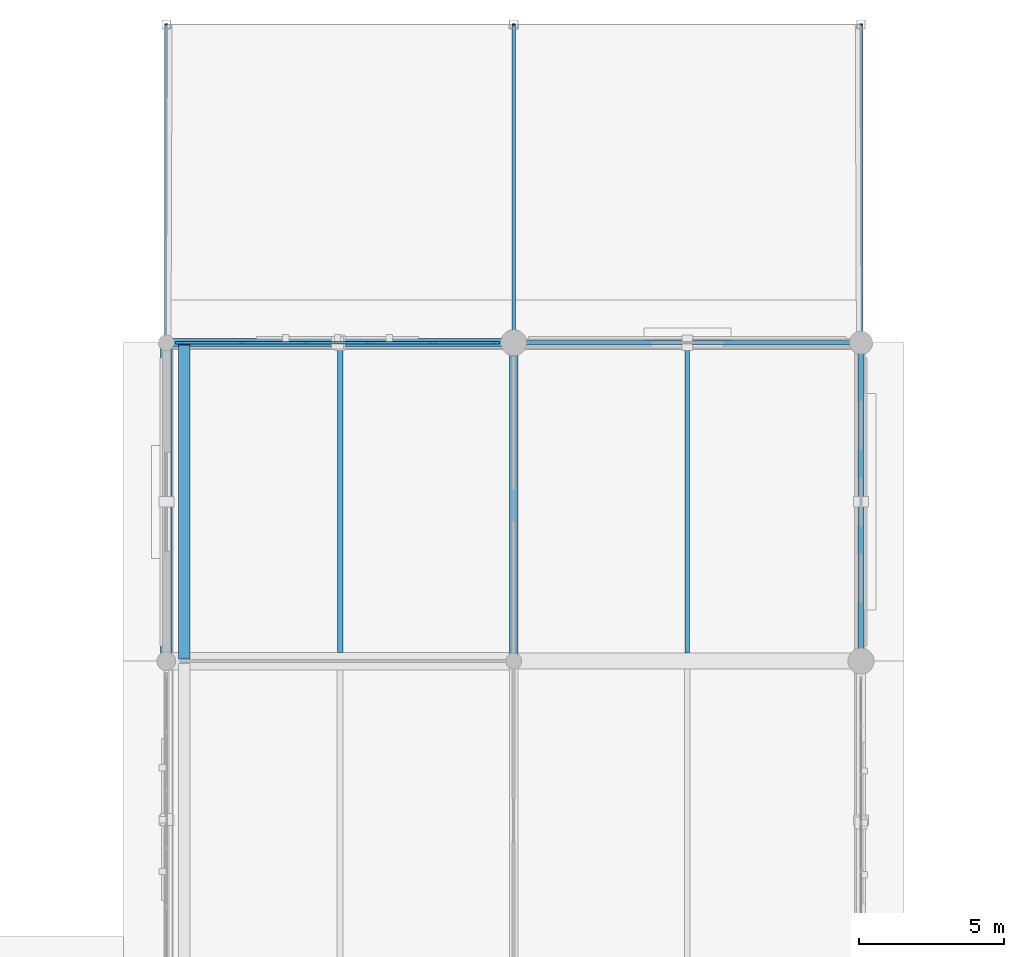
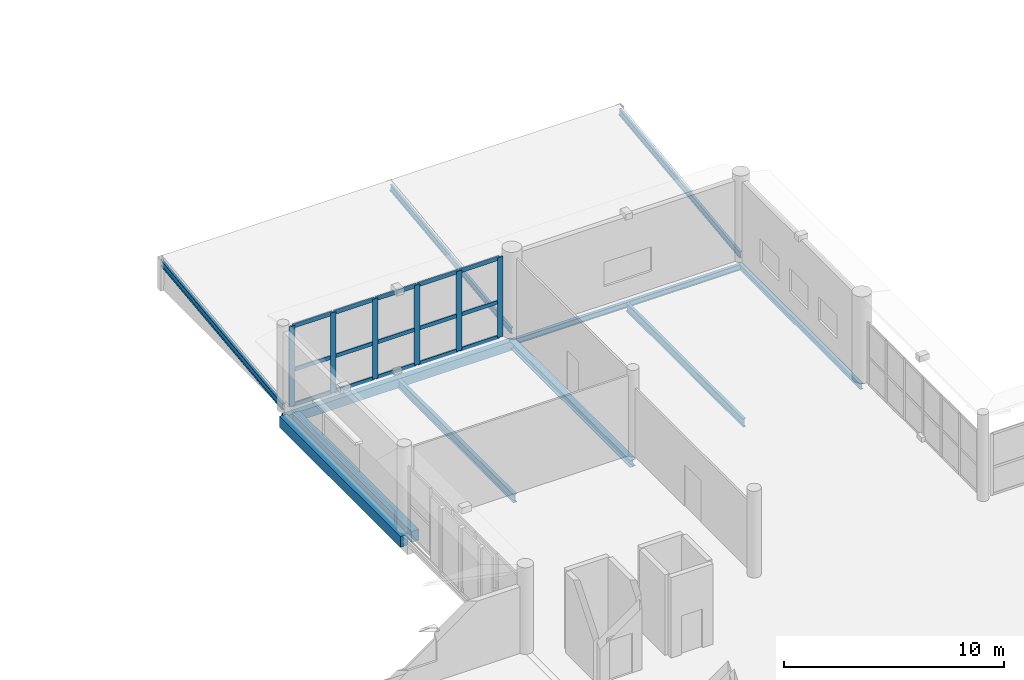
# One storey, part 45 of 143: 21 members, 11 beams, 1 element without a shape of its own.
"""IFC4 building model written with IfcOpenShell, lengths in metres."""

import ifcopenshell
import ifcopenshell.guid

model = None  # the IFC model being written
_history = None  # IfcOwnerHistory: only IFC2X3 demands one
_inside = {}  # id of a spatial element -> (the spatial element, [elements in it])
_under = {}  # id of a project, library or spatial element -> (it, [spatial elements below it])
_declared = {}  # id of a project -> (the project, [libraries it declares])
_typed = {}  # id of a type object -> (the type object, [elements of that type])
_made_of = {}  # id of a material, layer set ... -> (it, [elements and type objects made of it])


def new_model(schema):
    """Start an empty IFC model of exactly this schema.

    Asked for "IFC4X3", IfcOpenShell would pick the latest addendum, in which some entities
    have other attributes; the version numbers below select the first issue.
    IFC2X3 requires an IfcOwnerHistory on every rooted entity: one is made here for all.
    """
    global model, _history
    if schema == "IFC4X3":
        model = ifcopenshell.file(schema_version=(4, 3, 0, 0))
    else:
        model = ifcopenshell.file(schema=schema)
    _inside.clear()
    _under.clear()
    _declared.clear()
    _typed.clear()
    _made_of.clear()
    _history = None
    if model.schema == "IFC2X3":
        org = make("IfcOrganization", Name="unknown")
        user = make(
            "IfcPersonAndOrganization",
            ThePerson=make("IfcPerson", FamilyName="unknown"),
            TheOrganization=org,
        )
        app = make(
            "IfcApplication",
            ApplicationDeveloper=org,
            Version="unknown",
            ApplicationFullName="unknown",
            ApplicationIdentifier="unknown",
        )
        _history = make(
            "IfcOwnerHistory",
            OwningUser=user,
            OwningApplication=app,
            ChangeAction="ADDED",
            CreationDate=0,
        )
    return model


def make(cls, **values):
    """One entity of the class cls with the attributes given. An attribute that is None is left unset."""
    return model.create_entity(
        cls, **{name: value for name, value in values.items() if value is not None}
    )


def rooted(cls, **values):
    """An entity with a GlobalId (a new one), such as an element, a storey or a relation."""
    return make(cls, GlobalId=ifcopenshell.guid.new(), OwnerHistory=_history, **values)


def si_unit(unit_type, name, prefix=None):
    """IfcSIUnit, for example si_unit("LENGTHUNIT", "METRE", prefix="MILLI")."""
    return make("IfcSIUnit", UnitType=unit_type, Prefix=prefix, Name=name)


def assignment(units):
    """IfcUnitAssignment: the units of a project."""
    return None if units is None else make("IfcUnitAssignment", Units=units)


def point(xyz):
    """IfcCartesianPoint."""
    return None if xyz is None else make("IfcCartesianPoint", Coordinates=xyz)


def direction(xyz):
    """IfcDirection."""
    return None if xyz is None else make("IfcDirection", DirectionRatios=xyz)


def frame(location, z_axis=None, x_axis=None):
    """IfcAxis2Placement3D, a coordinate frame: its origin and axes. An axis left out is left unset."""
    return make(
        "IfcAxis2Placement3D",
        Location=point(location),
        Axis=direction(z_axis),
        RefDirection=direction(x_axis),
    )


def frame_2d(location, x_axis=None):
    """IfcAxis2Placement2D, a coordinate frame in the plane: its origin and x axis."""
    return make(
        "IfcAxis2Placement2D", Location=point(location), RefDirection=direction(x_axis)
    )


def origin():
    """The frame at (0, 0, 0) with its axes left unset."""
    return frame((0.0, 0.0, 0.0))


def origin_2d():
    """The frame at (0, 0) in the plane with its x axis left unset."""
    return frame_2d((0.0, 0.0))


def place(relative_to, where):
    """IfcLocalPlacement: puts the frame where relative to a parent placement (None: the world)."""
    return make(
        "IfcLocalPlacement", PlacementRelTo=relative_to, RelativePlacement=where
    )


def context(
    kind, dimensions, precision=None, world=None, true_north=None, identifier=None
):
    """IfcGeometricRepresentationContext, for example the 3D "Model" context."""
    return make(
        "IfcGeometricRepresentationContext",
        ContextIdentifier=identifier,
        ContextType=kind,
        CoordinateSpaceDimension=dimensions,
        Precision=precision,
        WorldCoordinateSystem=world,
        TrueNorth=true_north,
    )


def subcontext(parent, identifier, kind, view, scale=None):
    """IfcGeometricRepresentationSubContext, for example "Body" below "Model"."""
    return make(
        "IfcGeometricRepresentationSubContext",
        ContextIdentifier=identifier,
        ContextType=kind,
        ParentContext=parent,
        TargetScale=scale,
        TargetView=view,
    )


def project(units=None, contexts=None):
    """IfcProject with its units and contexts."""
    return rooted(
        "IfcProject",
        Name="project",
        RepresentationContexts=contexts,
        UnitsInContext=assignment(units),
    )


def spatial(cls, under=None, at=None, **own):
    """A site, building, storey or space (cls), placed at a placement, below another one or the project."""
    s = rooted(cls, ObjectPlacement=at, **own)
    if under is not None:
        _under.setdefault(under.id(), (under, []))[1].append(s)
    return s


def profile(cls, at=None, kind="AREA", **sizes):
    """A parametric profile (cls). Its sizes go by their IFC names, for example OverallWidth=200.0."""
    return make(cls, ProfileType=kind, Position=at, **sizes)


def rectangle(**sizes):
    """IfcRectangleProfileDef."""
    return profile("IfcRectangleProfileDef", **sizes)


def hollow_rectangle(**sizes):
    """IfcRectangleHollowProfileDef."""
    return profile("IfcRectangleHollowProfileDef", **sizes)


def i_section(**sizes):
    """IfcIShapeProfileDef."""
    return profile("IfcIShapeProfileDef", **sizes)


def extrude(swept, where, along, depth):
    """IfcExtrudedAreaSolid: the profile swept, set in the frame where, extruded along a direction by depth."""
    return make(
        "IfcExtrudedAreaSolid",
        SweptArea=swept,
        Position=where,
        ExtrudedDirection=direction(along),
        Depth=depth,
    )


def shape(context_of_items, identifier, shape_type, items):
    """IfcShapeRepresentation: the items that make up one representation, for example the "Body"."""
    return make(
        "IfcShapeRepresentation",
        ContextOfItems=context_of_items,
        RepresentationIdentifier=identifier,
        RepresentationType=shape_type,
        Items=items,
    )


def material(Name=None, Category=None):
    """IfcMaterial."""
    return make("IfcMaterial", Name=Name, Category=Category)


def material_profile(
    of_material, cross_section, Name=None, Category=None, Priority=None
):
    """IfcMaterialProfile: a cross section and its material."""
    return make(
        "IfcMaterialProfile",
        Name=Name,
        Material=of_material,
        Profile=cross_section,
        Priority=Priority,
        Category=Category,
    )


def profile_set(profiles, Name=None, composite=None):
    """IfcMaterialProfileSet."""
    return make(
        "IfcMaterialProfileSet",
        Name=Name,
        MaterialProfiles=profiles,
        CompositeProfile=composite,
    )


def made_of(thing, what):
    """Note that an element or type object is made of a material, layer set ...; save() writes the relation."""
    if what is not None:
        _made_of.setdefault(what.id(), (what, []))[1].append(thing)
    return thing


def type_object(cls, material=None, **own):
    """A type object (cls), such as IfcWallType, which elements share."""
    return made_of(rooted(cls, **own), material)


def element(
    cls,
    number,
    at=None,
    inside=None,
    cuts=None,
    type_object=None,
    material=None,
    context=None,
    identifier="Body",
    shape_type=None,
    held_by="IfcProductDefinitionShape",
    body=None,
    shapes=None,
    **own,
):
    """One element of the class cls, such as IfcWall. Its Tag is "e" and its number.

    at: its placement. inside: the storey or other place that contains it. cuts: it is an
    opening in that element (IfcRelVoidsElement). A single representation is given by context,
    identifier, shape_type and body (its items); several are given by shapes. held_by: the class
    of the entity that holds the representations. save() writes the other relations.
    """
    e = rooted(cls, Tag="e%d" % number, ObjectPlacement=at, **own)
    if body is not None:
        shapes = [shape(context, identifier, shape_type, body)]
    if shapes is not None:
        e.Representation = make(held_by, Representations=shapes)
    if inside is not None:
        _inside.setdefault(inside.id(), (inside, []))[1].append(e)
    if cuts is not None:
        rooted(
            "IfcRelVoidsElement", RelatingBuildingElement=cuts, RelatedOpeningElement=e
        )
    if type_object is not None:
        _typed.setdefault(type_object.id(), (type_object, []))[1].append(e)
    return made_of(e, material)


def aggregate(whole, parts):
    """IfcRelAggregates: a whole, such as a stair, and the parts it consists of."""
    return rooted("IfcRelAggregates", RelatingObject=whole, RelatedObjects=parts)


def save(model, path):
    """Write the relations noted so far, then the file.

    IfcRelAggregates (storeys below a building ...), IfcRelContainedInSpatialStructure (elements
    in a storey), IfcRelDefinesByType, IfcRelAssociatesMaterial and IfcRelDeclares: one each for
    every whole, place, type object, material and project.
    """
    for whole, parts in _under.values():
        aggregate(whole, parts)
    for where, things in _inside.values():
        rooted(
            "IfcRelContainedInSpatialStructure",
            RelatedElements=things,
            RelatingStructure=where,
        )
    for kind, things in _typed.values():
        rooted("IfcRelDefinesByType", RelatedObjects=things, RelatingType=kind)
    for what, things in _made_of.values():
        rooted("IfcRelAssociatesMaterial", RelatedObjects=things, RelatingMaterial=what)
    for by, libraries in _declared.values():
        rooted("IfcRelDeclares", RelatingContext=by, RelatedDefinitions=libraries)
    model.write(path)


model = new_model("IFC4")

# Units and contexts
model_context = context("Model", 3, precision=1e-05, world=origin(), true_north=direction((0.0, 1.0)))
body_context = subcontext(model_context, "Body", "Model", "MODEL_VIEW")
ifc_project = project(units=[si_unit("LENGTHUNIT", "METRE"), si_unit("AREAUNIT", "SQUARE_METRE"), si_unit("VOLUMEUNIT", "CUBIC_METRE"), si_unit("PLANEANGLEUNIT", "RADIAN"), si_unit("MASSUNIT", "GRAM", prefix="KILO")], contexts=[model_context])

# Site, building, storey
site_placement = place(None, origin())
site = spatial("IfcSite", under=ifc_project, at=site_placement, CompositionType="ELEMENT")
building_placement = place(site_placement, origin())
building = spatial("IfcBuilding", under=site, at=building_placement, Name="Luwafu Chhajja Arena", CompositionType="ELEMENT")
storey_placement = place(building_placement, frame((0.0, 0.0, 5.39990234375)))
storey = spatial("IfcBuildingStorey", under=building, at=storey_placement, Name="L01", CompositionType="ELEMENT", Elevation=5.39990234375)

# Beams
ifc_material_1 = material(Name="Steel S355", Category="steel")
ifc_material_profile_1 = material_profile(ifc_material_1, i_section(OverallWidth=0.1259765625, OverallDepth=0.353515625, WebThickness=0.006591796875, FlangeThickness=0.0107421875, at=origin_2d()), Name="UB 356x127x39")
ifc_profile_set_1 = profile_set([ifc_material_profile_1], Name="Steel S355")
beam_type_1 = type_object("IfcBeamType", Name="Canopy Joist UB 356x127x39", PredefinedType="JOIST", material=ifc_profile_set_1)
for number, where, z_axis, x_axis, name in (
    (1, (34.0, 121.0, 0.14013671875), (0.0, 0.993088327257, 0.11736939237), (-1.0, 0.0, 0.0), "L01 Cloister Roof Rafter 4/M-N"),
    (2, (46.0, 121.0, 0.14013671875), (0.0, 0.993088327257, 0.11736939237), (-1.0, 0.0, 0.0), "L01 Cloister Roof Rafter 5/M-N"),
    (3, (58.0, 121.0, 0.14013671875), (0.0, 0.993088327257, 0.11736939237), (-1.0, 0.0, 0.0), "L01 Cloister Roof Rafter 6/M-N"),
):
    element("IfcBeam", number, at=place(storey_placement, frame(where, z_axis=z_axis, x_axis=x_axis)), inside=storey, type_object=beam_type_1, Name=name, PredefinedType="JOIST", context=body_context, shape_type="SweptSolid", body=[
        extrude(i_section(OverallWidth=0.1259765625, OverallDepth=0.353515625, WebThickness=0.006591796875, FlangeThickness=0.0107421875, at=origin_2d()), origin(), (0.0, 0.0, 1.0), 11.07666015625),
    ])
ifc_material_profile_2 = material_profile(ifc_material_1, i_section(OverallWidth=0.165771484375, OverallDepth=0.306640625, WebThickness=0.006591796875, FlangeThickness=0.01171875, at=origin_2d()), Name="UB 305x165x46")
ifc_profile_set_2 = profile_set([ifc_material_profile_2], Name="Steel S355")
beam_type_2 = type_object("IfcBeamType", Name="Concourse Edge Spandrel Beam UB 305x165x46", PredefinedType="SPANDREL", material=ifc_profile_set_2)
beam_1_placement = place(storey_placement, frame((46.0, 121.0, -0.483154296875), z_axis=(1.0, 0.0, 0.0), x_axis=(0.0, 1.0, 0.0)))
element("IfcBeam", 4, at=beam_1_placement, inside=storey, type_object=beam_type_2, Name="L01 Grid Beam 5-6/M", PredefinedType="SPANDREL", context=body_context, shape_type="SweptSolid", body=[
    extrude(i_section(OverallWidth=0.165771484375, OverallDepth=0.306640625, WebThickness=0.006591796875, FlangeThickness=0.01171875, at=origin_2d()), origin(), (0.0, 0.0, 1.0), 12.0),
])
beam_2_placement = place(storey_placement, frame((58.0, 110.0, -0.483154296875), z_axis=(0.0, 1.0, 0.0), x_axis=(-1.0, 0.0, 0.0)))
element("IfcBeam", 5, at=beam_2_placement, inside=storey, type_object=beam_type_2, Name="L01 Grid Beam 6/L-M", PredefinedType="SPANDREL", context=body_context, shape_type="SweptSolid", body=[
    extrude(i_section(OverallWidth=0.165771484375, OverallDepth=0.306640625, WebThickness=0.006591796875, FlangeThickness=0.01171875, at=origin_2d()), origin(), (0.0, 0.0, 1.0), 11.0),
])
ifc_material_profile_3 = material_profile(ifc_material_1, i_section(OverallWidth=0.15283203125, OverallDepth=0.45458984375, WebThickness=0.008056640625, FlangeThickness=0.01318359375, at=origin_2d()), Name="UB 457x152x60")
ifc_profile_set_3 = profile_set([ifc_material_profile_3], Name="Steel S355")
beam_type_3 = type_object("IfcBeamType", Name="Floor Joist UB 457x152x60", PredefinedType="JOIST", material=ifc_profile_set_3)
beam_3_placement = place(storey_placement, frame((52.0, 110.27490234375, -0.55712890625), z_axis=(0.0, 1.0, 0.0), x_axis=(-1.0, 0.0, 0.0)))
element("IfcBeam", 6, at=beam_3_placement, inside=storey, type_object=beam_type_3, Name="L01 Secondary Joist 5-6/L", PredefinedType="JOIST", context=body_context, shape_type="SweptSolid", body=[
    extrude(i_section(OverallWidth=0.15283203125, OverallDepth=0.45458984375, WebThickness=0.008056640625, FlangeThickness=0.01318359375, at=origin_2d()), origin(), (0.0, 0.0, 1.0), 10.642333984375),
])
ifc_material_profile_4 = material_profile(ifc_material_1, i_section(OverallWidth=0.19140625, OverallDepth=0.4599609375, WebThickness=0.010009765625, FlangeThickness=0.01611328125, at=origin_2d()), Name="UB 457x191x82")
ifc_profile_set_4 = profile_set([ifc_material_profile_4], Name="Steel S355")
beam_type_4 = type_object("IfcBeamType", Name="Floor Joist UB 457x191x82", PredefinedType="JOIST", material=ifc_profile_set_4)
beam_4_placement = place(storey_placement, frame((40.0, 110.300048828125, -0.559814453125), z_axis=(0.0, 1.0, 0.0), x_axis=(-1.0, 0.0, 0.0)))
element("IfcBeam", 7, at=beam_4_placement, inside=storey, type_object=beam_type_4, Name="L01 Secondary Joist 4-5/L", PredefinedType="JOIST", context=body_context, shape_type="SweptSolid", body=[
    extrude(i_section(OverallWidth=0.19140625, OverallDepth=0.4599609375, WebThickness=0.010009765625, FlangeThickness=0.01611328125, at=origin_2d()), origin(), (0.0, 0.0, 1.0), 10.550048828125),
])

# Curtain wall, members
ifc_material_2 = material(Name="Anodised bronze aluminium", Category="aluminium")
curtain_wall_type = type_object("IfcCurtainWallType", Name="Pishtaq Monumental Portal Curtain Wall", PredefinedType="USERDEFINED", material=ifc_material_2)
curtain_wall_placement = place(storey_placement, origin())
curtain_wall = element("IfcCurtainWall", 8, at=curtain_wall_placement, inside=storey, type_object=curtain_wall_type, Name="L01 Curtain Wall CWG-L01-H03_11", ObjectType="CURTAIN WALL", PredefinedType="USERDEFINED")
ifc_material_profile_5 = material_profile(ifc_material_2, rectangle(XDim=0.080078125, YDim=0.280029296875, at=origin_2d()), Name="CWM 80x280")
ifc_profile_set_5 = profile_set([ifc_material_profile_5], Name="Anodised bronze aluminium")
member_type_1 = type_object("IfcMemberType", Name="Pishtaq Portal Mullion 80x280", PredefinedType="MULLION", material=ifc_profile_set_5)
member_1_placement = place(storey_placement, frame((34.455078125, 121.0, 0.030029296875), z_axis=(0.0, 0.0, 1.0), x_axis=(0.0, 1.0, 0.0)))
member_1 = element("IfcMember", 9, at=member_1_placement, type_object=member_type_1, Name="CW-04 mullion 1", PredefinedType="MULLION", context=body_context, shape_type="SweptSolid", body=[
    extrude(rectangle(XDim=0.080078125, YDim=0.280029296875, at=origin_2d()), origin(), (0.0, 0.0, 1.0), 4.43505859375),
])
member_2_placement = place(storey_placement, frame((36.614013671875, 121.0, 0.030029296875), z_axis=(0.0, 0.0, 1.0), x_axis=(0.0, 1.0, 0.0)))
member_2 = element("IfcMember", 10, at=member_2_placement, type_object=member_type_1, Name="CW-04 mullion 2", PredefinedType="MULLION", context=body_context, shape_type="SweptSolid", body=[
    extrude(rectangle(XDim=0.080078125, YDim=0.280029296875, at=origin_2d()), origin(), (0.0, 0.0, 1.0), 4.43505859375),
])
member_3_placement = place(storey_placement, frame((38.81298828125, 121.0, 0.030029296875), z_axis=(0.0, 0.0, 1.0), x_axis=(0.0, 1.0, 0.0)))
member_3 = element("IfcMember", 11, at=member_3_placement, type_object=member_type_1, Name="CW-04 mullion 3", PredefinedType="MULLION", context=body_context, shape_type="SweptSolid", body=[
    extrude(rectangle(XDim=0.080078125, YDim=0.280029296875, at=origin_2d()), origin(), (0.0, 0.0, 1.0), 4.43505859375),
])
member_4_placement = place(storey_placement, frame((41.011962890625, 121.0, 0.030029296875), z_axis=(0.0, 0.0, 1.0), x_axis=(0.0, 1.0, 0.0)))
member_4 = element("IfcMember", 12, at=member_4_placement, type_object=member_type_1, Name="CW-04 mullion 4", PredefinedType="MULLION", context=body_context, shape_type="SweptSolid", body=[
    extrude(rectangle(XDim=0.080078125, YDim=0.280029296875, at=origin_2d()), origin(), (0.0, 0.0, 1.0), 4.43505859375),
])
member_5_placement = place(storey_placement, frame((43.2109375, 121.0, 0.030029296875), z_axis=(0.0, 0.0, 1.0), x_axis=(0.0, 1.0, 0.0)))
member_5 = element("IfcMember", 13, at=member_5_placement, type_object=member_type_1, Name="CW-04 mullion 5", PredefinedType="MULLION", context=body_context, shape_type="SweptSolid", body=[
    extrude(rectangle(XDim=0.080078125, YDim=0.280029296875, at=origin_2d()), origin(), (0.0, 0.0, 1.0), 4.43505859375),
])
member_6_placement = place(storey_placement, frame((45.3701171875, 121.0, 0.030029296875), z_axis=(0.0, 0.0, 1.0), x_axis=(0.0, 1.0, 0.0)))
member_6 = element("IfcMember", 14, at=member_6_placement, type_object=member_type_1, Name="CW-04 mullion 6", PredefinedType="MULLION", context=body_context, shape_type="SweptSolid", body=[
    extrude(rectangle(XDim=0.080078125, YDim=0.280029296875, at=origin_2d()), origin(), (0.0, 0.0, 1.0), 4.43505859375),
])
ifc_material_profile_6 = material_profile(ifc_material_2, rectangle(XDim=0.080078125, YDim=0.2099609375, at=origin_2d()), Name="CWT 80x210")
ifc_profile_set_6 = profile_set([ifc_material_profile_6], Name="Anodised bronze aluminium")
member_type_2 = type_object("IfcMemberType", Name="Pishtaq Portal Transom 80x210", PredefinedType="USERDEFINED", material=ifc_profile_set_6)
member_7_placement = place(storey_placement, frame((34.4951171875, 121.0, 0.070068359375), z_axis=(1.0, 0.0, 0.0), x_axis=(0.0, 1.0, 0.0)))
member_7 = element("IfcMember", 15, at=member_7_placement, type_object=member_type_2, Name="CW-04 transom 1.1", ObjectType="TRANSOM", PredefinedType="USERDEFINED", context=body_context, shape_type="SweptSolid", body=[
    extrude(rectangle(XDim=0.080078125, YDim=0.2099609375, at=origin_2d()), origin(), (0.0, 0.0, 1.0), 2.078857421875),
])
member_8_placement = place(storey_placement, frame((34.4951171875, 121.0, 2.00927734375), z_axis=(1.0, 0.0, 0.0), x_axis=(0.0, 1.0, 0.0)))
member_8 = element("IfcMember", 16, at=member_8_placement, type_object=member_type_2, Name="CW-04 transom 1.2", ObjectType="TRANSOM", PredefinedType="USERDEFINED", context=body_context, shape_type="SweptSolid", body=[
    extrude(rectangle(XDim=0.080078125, YDim=0.2099609375, at=origin_2d()), origin(), (0.0, 0.0, 1.0), 2.078857421875),
])
member_9_placement = place(storey_placement, frame((34.4951171875, 121.0, 4.425048828125), z_axis=(1.0, 0.0, 0.0), x_axis=(0.0, 1.0, 0.0)))
member_9 = element("IfcMember", 17, at=member_9_placement, type_object=member_type_2, Name="CW-04 transom 1.3", ObjectType="TRANSOM", PredefinedType="USERDEFINED", context=body_context, shape_type="SweptSolid", body=[
    extrude(rectangle(XDim=0.080078125, YDim=0.2099609375, at=origin_2d()), origin(), (0.0, 0.0, 1.0), 2.078857421875),
])
member_10_placement = place(storey_placement, frame((36.654052734375, 121.0, 0.070068359375), z_axis=(1.0, 0.0, 0.0), x_axis=(0.0, 1.0, 0.0)))
member_10 = element("IfcMember", 18, at=member_10_placement, type_object=member_type_2, Name="CW-04 transom 2.1", ObjectType="TRANSOM", PredefinedType="USERDEFINED", context=body_context, shape_type="SweptSolid", body=[
    extrude(rectangle(XDim=0.080078125, YDim=0.2099609375, at=origin_2d()), origin(), (0.0, 0.0, 1.0), 2.118896484375),
])
member_11_placement = place(storey_placement, frame((36.654052734375, 121.0, 2.00927734375), z_axis=(1.0, 0.0, 0.0), x_axis=(0.0, 1.0, 0.0)))
member_11 = element("IfcMember", 19, at=member_11_placement, type_object=member_type_2, Name="CW-04 transom 2.2", ObjectType="TRANSOM", PredefinedType="USERDEFINED", context=body_context, shape_type="SweptSolid", body=[
    extrude(rectangle(XDim=0.080078125, YDim=0.2099609375, at=origin_2d()), origin(), (0.0, 0.0, 1.0), 2.118896484375),
])
member_12_placement = place(storey_placement, frame((36.654052734375, 121.0, 4.425048828125), z_axis=(1.0, 0.0, 0.0), x_axis=(0.0, 1.0, 0.0)))
member_12 = element("IfcMember", 20, at=member_12_placement, type_object=member_type_2, Name="CW-04 transom 2.3", ObjectType="TRANSOM", PredefinedType="USERDEFINED", context=body_context, shape_type="SweptSolid", body=[
    extrude(rectangle(XDim=0.080078125, YDim=0.2099609375, at=origin_2d()), origin(), (0.0, 0.0, 1.0), 2.118896484375),
])
member_13_placement = place(storey_placement, frame((38.85302734375, 121.0, 0.070068359375), z_axis=(1.0, 0.0, 0.0), x_axis=(0.0, 1.0, 0.0)))
member_13 = element("IfcMember", 21, at=member_13_placement, type_object=member_type_2, Name="CW-04 transom 3.1", ObjectType="TRANSOM", PredefinedType="USERDEFINED", context=body_context, shape_type="SweptSolid", body=[
    extrude(rectangle(XDim=0.080078125, YDim=0.2099609375, at=origin_2d()), origin(), (0.0, 0.0, 1.0), 2.118896484375),
])
member_14_placement = place(storey_placement, frame((38.85302734375, 121.0, 2.00927734375), z_axis=(1.0, 0.0, 0.0), x_axis=(0.0, 1.0, 0.0)))
member_14 = element("IfcMember", 22, at=member_14_placement, type_object=member_type_2, Name="CW-04 transom 3.2", ObjectType="TRANSOM", PredefinedType="USERDEFINED", context=body_context, shape_type="SweptSolid", body=[
    extrude(rectangle(XDim=0.080078125, YDim=0.2099609375, at=origin_2d()), origin(), (0.0, 0.0, 1.0), 2.118896484375),
])
member_15_placement = place(storey_placement, frame((38.85302734375, 121.0, 4.425048828125), z_axis=(1.0, 0.0, 0.0), x_axis=(0.0, 1.0, 0.0)))
member_15 = element("IfcMember", 23, at=member_15_placement, type_object=member_type_2, Name="CW-04 transom 3.3", ObjectType="TRANSOM", PredefinedType="USERDEFINED", context=body_context, shape_type="SweptSolid", body=[
    extrude(rectangle(XDim=0.080078125, YDim=0.2099609375, at=origin_2d()), origin(), (0.0, 0.0, 1.0), 2.118896484375),
])
member_16_placement = place(storey_placement, frame((41.052001953125, 121.0, 0.070068359375), z_axis=(1.0, 0.0, 0.0), x_axis=(0.0, 1.0, 0.0)))
member_16 = element("IfcMember", 24, at=member_16_placement, type_object=member_type_2, Name="CW-04 transom 4.1", ObjectType="TRANSOM", PredefinedType="USERDEFINED", context=body_context, shape_type="SweptSolid", body=[
    extrude(rectangle(XDim=0.080078125, YDim=0.2099609375, at=origin_2d()), origin(), (0.0, 0.0, 1.0), 2.118896484375),
])
member_17_placement = place(storey_placement, frame((41.052001953125, 121.0, 2.00927734375), z_axis=(1.0, 0.0, 0.0), x_axis=(0.0, 1.0, 0.0)))
member_17 = element("IfcMember", 25, at=member_17_placement, type_object=member_type_2, Name="CW-04 transom 4.2", ObjectType="TRANSOM", PredefinedType="USERDEFINED", context=body_context, shape_type="SweptSolid", body=[
    extrude(rectangle(XDim=0.080078125, YDim=0.2099609375, at=origin_2d()), origin(), (0.0, 0.0, 1.0), 2.118896484375),
])
member_18_placement = place(storey_placement, frame((41.052001953125, 121.0, 4.425048828125), z_axis=(1.0, 0.0, 0.0), x_axis=(0.0, 1.0, 0.0)))
member_18 = element("IfcMember", 26, at=member_18_placement, type_object=member_type_2, Name="CW-04 transom 4.3", ObjectType="TRANSOM", PredefinedType="USERDEFINED", context=body_context, shape_type="SweptSolid", body=[
    extrude(rectangle(XDim=0.080078125, YDim=0.2099609375, at=origin_2d()), origin(), (0.0, 0.0, 1.0), 2.118896484375),
])
member_19_placement = place(storey_placement, frame((43.2509765625, 121.0, 0.070068359375), z_axis=(1.0, 0.0, 0.0), x_axis=(0.0, 1.0, 0.0)))
member_19 = element("IfcMember", 27, at=member_19_placement, type_object=member_type_2, Name="CW-04 transom 5.1", ObjectType="TRANSOM", PredefinedType="USERDEFINED", context=body_context, shape_type="SweptSolid", body=[
    extrude(rectangle(XDim=0.080078125, YDim=0.2099609375, at=origin_2d()), origin(), (0.0, 0.0, 1.0), 2.0791015625),
])
member_20_placement = place(storey_placement, frame((43.2509765625, 121.0, 2.00927734375), z_axis=(1.0, 0.0, 0.0), x_axis=(0.0, 1.0, 0.0)))
member_20 = element("IfcMember", 28, at=member_20_placement, type_object=member_type_2, Name="CW-04 transom 5.2", ObjectType="TRANSOM", PredefinedType="USERDEFINED", context=body_context, shape_type="SweptSolid", body=[
    extrude(rectangle(XDim=0.080078125, YDim=0.2099609375, at=origin_2d()), origin(), (0.0, 0.0, 1.0), 2.0791015625),
])
member_21_placement = place(storey_placement, frame((43.2509765625, 121.0, 4.425048828125), z_axis=(1.0, 0.0, 0.0), x_axis=(0.0, 1.0, 0.0)))
member_21 = element("IfcMember", 29, at=member_21_placement, type_object=member_type_2, Name="CW-04 transom 5.3", ObjectType="TRANSOM", PredefinedType="USERDEFINED", context=body_context, shape_type="SweptSolid", body=[
    extrude(rectangle(XDim=0.080078125, YDim=0.2099609375, at=origin_2d()), origin(), (0.0, 0.0, 1.0), 2.0791015625),
])
aggregate(curtain_wall, [member_1, member_2, member_3, member_4, member_5, member_6, member_7, member_8, member_9, member_10, member_11, member_12, member_13, member_14, member_15, member_16, member_17, member_18, member_19, member_20, member_21])

# Beams
ifc_material_profile_7 = material_profile(ifc_material_1, hollow_rectangle(XDim=0.300048828125, YDim=0.5, WallThickness=0.02001953125, at=origin_2d()), Name="RHS 500x300x20")
ifc_profile_set_7 = profile_set([ifc_material_profile_7], Name="Steel S355")
beam_type_5 = type_object("IfcBeamType", Name="Pleated Drum Spandrel Beam RHS 500x300", PredefinedType="SPANDREL", material=ifc_profile_set_7)
beam_5_placement = place(storey_placement, frame((34.0, 121.0, -0.579833984375), z_axis=(1.0, 0.0, 0.0), x_axis=(0.0, 1.0, 0.0)))
element("IfcBeam", 30, at=beam_5_placement, inside=storey, type_object=beam_type_5, Name="L01 Grid Beam 4-5/M", PredefinedType="SPANDREL", context=body_context, shape_type="SweptSolid", body=[
    extrude(hollow_rectangle(XDim=0.300048828125, YDim=0.5, WallThickness=0.02001953125, at=origin_2d()), origin(), (0.0, 0.0, 1.0), 12.0),
])
ifc_material_3 = material(Name="Concrete C35/45", Category="concrete")
ifc_material_profile_8 = material_profile(ifc_material_3, rectangle(XDim=0.39990234375, YDim=0.60009765625, at=origin_2d()), Name="RC 400x600")
ifc_profile_set_8 = profile_set([ifc_material_profile_8], Name="Concrete C35/45")
beam_type_6 = type_object("IfcBeamType", Name="Podium Perimeter Spandrel RC 400x600", PredefinedType="SPANDREL", material=ifc_profile_set_8)
beam_6_placement = place(storey_placement, frame((34.0, 110.0, -0.6298828125), z_axis=(0.0, 1.0, 0.0), x_axis=(-1.0, 0.0, 0.0)))
element("IfcBeam", 31, at=beam_6_placement, inside=storey, type_object=beam_type_6, Name="L01 Grid Beam 4/L-M", PredefinedType="SPANDREL", context=body_context, shape_type="SweptSolid", body=[
    extrude(rectangle(XDim=0.39990234375, YDim=0.60009765625, at=origin_2d()), origin(), (0.0, 0.0, 1.0), 11.0),
])
beam_7_placement = place(storey_placement, frame((34.6201171875, 110.080078125, -0.6298828125), z_axis=(0.0, 1.0, 0.0), x_axis=(-1.0, 0.0, 0.0)))
element("IfcBeam", 32, at=beam_7_placement, inside=storey, type_object=beam_type_6, Name="L01 Movement Joint MJ1E Seat Girder 10", PredefinedType="SPANDREL", context=body_context, shape_type="SweptSolid", body=[
    extrude(rectangle(XDim=0.39990234375, YDim=0.60009765625, at=origin_2d()), origin(), (0.0, 0.0, 1.0), 10.83984375),
])
ifc_material_profile_9 = material_profile(ifc_material_1, i_section(OverallWidth=0.300048828125, OverallDepth=0.39990234375, WebThickness=0.013427734375, FlangeThickness=0.02392578125, at=origin_2d()), Name="HEB 400")
ifc_profile_set_9 = profile_set([ifc_material_profile_9], Name="Steel S355")
beam_type_7 = type_object("IfcBeamType", Name="Steel Rigging Grid Beam HEB 400", PredefinedType="BEAM", material=ifc_profile_set_9)
beam_8_placement = place(storey_placement, frame((46.0, 110.0, -0.52978515625), z_axis=(0.0, 1.0, 0.0), x_axis=(-1.0, 0.0, 0.0)))
element("IfcBeam", 33, at=beam_8_placement, inside=storey, type_object=beam_type_7, Name="L01 Grid Beam 5/L-M", PredefinedType="BEAM", context=body_context, shape_type="SweptSolid", body=[
    extrude(i_section(OverallWidth=0.300048828125, OverallDepth=0.39990234375, WebThickness=0.013427734375, FlangeThickness=0.02392578125, at=origin_2d()), origin(), (0.0, 0.0, 1.0), 11.0),
])

save(model, "model.ifc")
